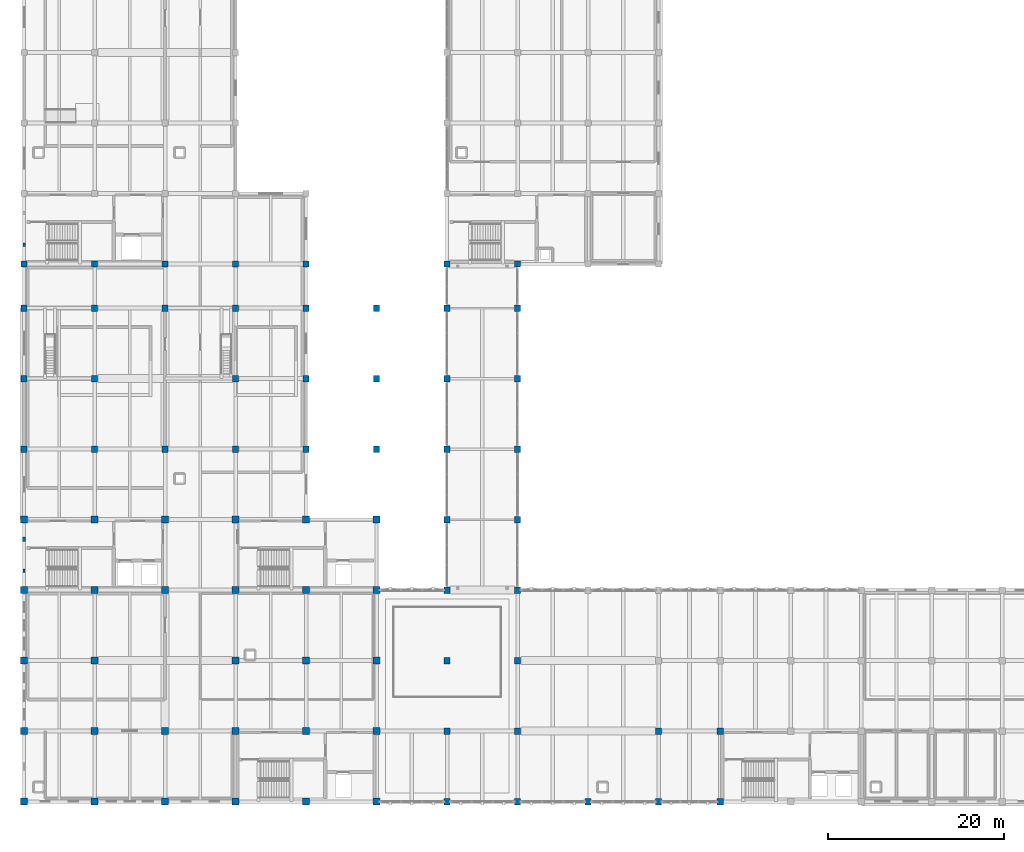
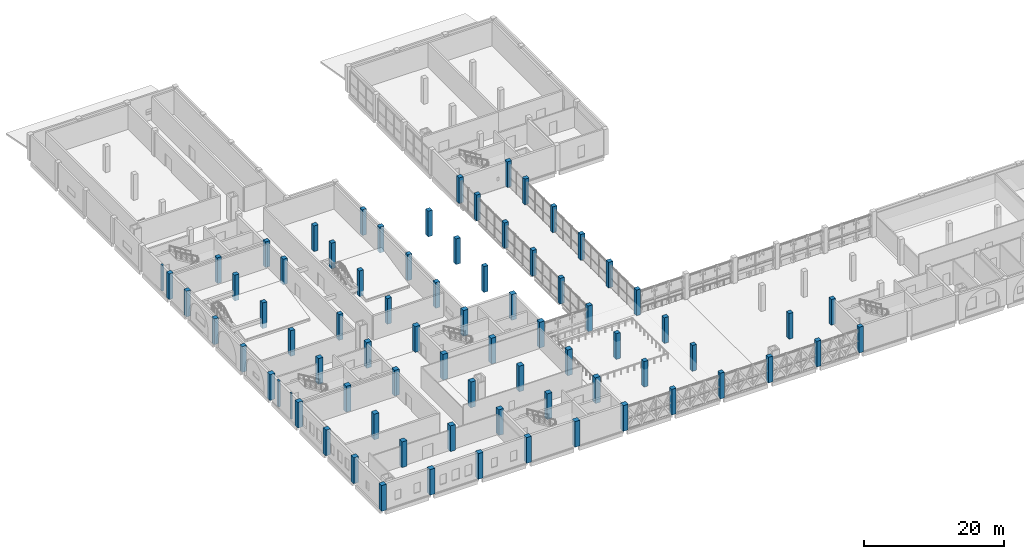
# One storey, part 1 of 45: 77 columns.
"""IFC4 building model written with IfcOpenShell, lengths in metres."""

from ifc_helpers import new_model, si_unit, direction, frame, origin, origin_2d, place, context, subcontext, project, spatial, rectangle, extrude, material, material_profile, profile_set, type_object, element, save


model = new_model("IFC4")

# Units and contexts
model_context = context("Model", 3, precision=1e-05, world=origin(), true_north=direction((0.0, 1.0)))
body_context = subcontext(model_context, "Body", "Model", "MODEL_VIEW")
ifc_project = project(units=[si_unit("LENGTHUNIT", "METRE"), si_unit("AREAUNIT", "SQUARE_METRE"), si_unit("VOLUMEUNIT", "CUBIC_METRE"), si_unit("PLANEANGLEUNIT", "RADIAN"), si_unit("MASSUNIT", "GRAM", prefix="KILO")], contexts=[model_context])

# Site, building, storey
site_placement = place(None, origin())
site = spatial("IfcSite", under=ifc_project, at=site_placement, CompositionType="ELEMENT")
building_placement = place(site_placement, origin())
building = spatial("IfcBuilding", under=site, at=building_placement, Name="Qorikala Patio Media Centre", CompositionType="ELEMENT")
storey_placement = place(building_placement, frame((0.0, 0.0, 9.89990234375)))
storey = spatial("IfcBuildingStorey", under=building, at=storey_placement, Name="L02", CompositionType="ELEMENT", Elevation=9.89990234375)

# Columns
ifc_material_1 = material(Name="Comanche Granite and Concrete C35/45", Category="masonry")
ifc_material_profile_1 = material_profile(ifc_material_1, rectangle(XDim=0.3798828125, YDim=0.239990234375, at=origin_2d()), Name="PIL 380x240")
ifc_profile_set_1 = profile_set([ifc_material_profile_1], Name="Comanche Granite and Concrete C35/45")
column_type_1 = type_object("IfcColumnType", Name="PIL-380X240", PredefinedType="PILASTER", material=ifc_profile_set_1)
column_1_placement = place(storey_placement, frame((3.0, 29.199951171875, 0.0), z_axis=(0.0, 0.0, 1.0), x_axis=(0.0, 1.0, 0.0)))
element("IfcColumn", 1, at=column_1_placement, inside=storey, type_object=column_type_1, Name="L02 West Street Core Pilaster 005", PredefinedType="PILASTER", context=body_context, shape_type="SweptSolid", body=[
    extrude(rectangle(XDim=0.3798828125, YDim=0.239990234375, at=origin_2d()), origin(), (0.0, 0.0, 1.0), 4.5),
])
ifc_material_profile_2 = material_profile(ifc_material_1, rectangle(XDim=0.43994140625, YDim=0.280029296875, at=origin_2d()), Name="PIL 440x280")
ifc_profile_set_2 = profile_set([ifc_material_profile_2], Name="Comanche Granite and Concrete C35/45")
column_type_2 = type_object("IfcColumnType", Name="PIL-440X280", PredefinedType="PILASTER", material=ifc_profile_set_2)
column_2_placement = place(storey_placement, frame((3.0, 66.199951171875, 0.0), z_axis=(0.0, 0.0, 1.0), x_axis=(0.0, 1.0, 0.0)))
element("IfcColumn", 2, at=column_2_placement, inside=storey, type_object=column_type_2, Name="L02 West Street Core Pilaster 007", PredefinedType="PILASTER", context=body_context, shape_type="SweptSolid", body=[
    extrude(rectangle(XDim=0.43994140625, YDim=0.280029296875, at=origin_2d()), origin(), (0.0, 0.0, 1.0), 4.5),
])
ifc_material_profile_3 = material_profile(ifc_material_1, rectangle(XDim=0.52001953125, YDim=0.320068359375, at=origin_2d()), Name="PIL 520x320")
ifc_profile_set_3 = profile_set([ifc_material_profile_3], Name="Comanche Granite and Concrete C35/45")
column_type_3 = type_object("IfcColumnType", Name="PIL-520X320", PredefinedType="PILASTER", material=ifc_profile_set_3)
column_3_placement = place(storey_placement, frame((3.0, 32.800048828125, 0.0), z_axis=(0.0, 0.0, 1.0), x_axis=(0.0, 1.0, 0.0)))
element("IfcColumn", 3, at=column_3_placement, inside=storey, type_object=column_type_3, Name="L02 West Street Core Pilaster 006", PredefinedType="PILASTER", context=body_context, shape_type="SweptSolid", body=[
    extrude(rectangle(XDim=0.52001953125, YDim=0.320068359375, at=origin_2d()), origin(), (0.0, 0.0, 1.0), 4.5),
])
ifc_material_2 = material(Name="Concrete C35/45", Category="concrete")
ifc_material_profile_4 = material_profile(ifc_material_2, rectangle(XDim=0.699951171875, YDim=0.699951171875, at=origin_2d()), Name="RC 700x700")
ifc_profile_set_4 = profile_set([ifc_material_profile_4], Name="Concrete C35/45")
column_type_4 = type_object("IfcColumnType", Name="RC-COL-700-EXT", PredefinedType="COLUMN", material=ifc_profile_set_4)
for number, where, z_axis, x_axis, name in (
    (4, (3.0, 43.0, 0.0), (0.0, 0.0, 1.0), (1.0, 0.0, 0.0), "L02 Column (3,43)"),
    (5, (3.0, 51.0, 0.0), (0.0, 0.0, 1.0), (1.0, 0.0, 0.0), "L02 Column (3,51)"),
    (6, (3.0, 59.0, 0.0), (0.0, 0.0, 1.0), (1.0, 0.0, 0.0), "L02 Column (3,59)"),
    (7, (3.0, 64.0, 0.0), (0.0, 0.0, 1.0), (1.0, 0.0, 0.0), "L02 Column (3,64)"),
    (8, (35.0, 43.0, 0.0), (0.0, 0.0, 1.0), (1.0, 0.0, 0.0), "L02 Column (35,43)"),
    (9, (35.0, 51.0, 0.0), (0.0, 0.0, 1.0), (1.0, 0.0, 0.0), "L02 Column (35,51)"),
    (10, (35.0, 59.0, 0.0), (0.0, 0.0, 1.0), (1.0, 0.0, 0.0), "L02 Column (35,59)"),
    (11, (35.0, 64.0, 0.0), (0.0, 0.0, 1.0), (1.0, 0.0, 0.0), "L02 Column (35,64)"),
    (12, (43.0, 43.0, 0.0), (0.0, 0.0, 1.0), (1.0, 0.0, 0.0), "L02 Column (43,43)"),
    (13, (43.0, 51.0, 0.0), (0.0, 0.0, 1.0), (1.0, 0.0, 0.0), "L02 Column (43,51)"),
    (14, (43.0, 59.0, 0.0), (0.0, 0.0, 1.0), (1.0, 0.0, 0.0), "L02 Column (43,59)"),
    (15, (51.0, 3.0, 0.0), (0.0, 0.0, 1.0), (1.0, 0.0, 0.0), "L02 Column (51,3)"),
    (16, (51.0, 27.0, 0.0), (0.0, 0.0, 1.0), (1.0, 0.0, 0.0), "L02 Column (51,27)"),
    (17, (51.0, 35.0, 0.0), (0.0, 0.0, 1.0), (1.0, 0.0, 0.0), "L02 Column (51,35)"),
    (18, (51.0, 43.0, 0.0), (0.0, 0.0, 1.0), (1.0, 0.0, 0.0), "L02 Column (51,43)"),
    (19, (51.0, 51.0, 0.0), (0.0, 0.0, 1.0), (1.0, 0.0, 0.0), "L02 Column (51,51)"),
    (20, (51.0, 59.0, 0.0), (0.0, 0.0, 1.0), (1.0, 0.0, 0.0), "L02 Column (51,59)"),
    (21, (51.0, 64.0, 0.0), (0.0, 0.0, 1.0), (1.0, 0.0, 0.0), "L02 Column (51,64)"),
    (22, (59.0, 3.0, 0.0), (0.0, 0.0, 1.0), (1.0, 0.0, 0.0), "L02 Column (59,3)"),
    (23, (59.0, 27.0, 0.0), (0.0, 0.0, 1.0), (1.0, 0.0, 0.0), "L02 Column (59,27)"),
    (24, (59.0, 35.0, 0.0), (0.0, 0.0, 1.0), (1.0, 0.0, 0.0), "L02 Column (59,35)"),
    (25, (59.0, 43.0, 0.0), (0.0, 0.0, 1.0), (1.0, 0.0, 0.0), "L02 Column (59,43)"),
    (26, (59.0, 51.0, 0.0), (0.0, 0.0, 1.0), (1.0, 0.0, 0.0), "L02 Column (59,51)"),
    (27, (59.0, 59.0, 0.0), (0.0, 0.0, 1.0), (1.0, 0.0, 0.0), "L02 Column (59,59)"),
    (28, (59.0, 64.0, 0.0), (0.0, 0.0, 1.0), (1.0, 0.0, 0.0), "L02 Column (59,64)"),
    (29, (67.0, 3.0, 0.0), (0.0, 0.0, 1.0), (1.0, 0.0, 0.0), "L02 Column (67,3)"),
    (30, (75.0, 3.0, 0.0), (0.0, 0.0, 1.0), (1.0, 0.0, 0.0), "L02 Column (75,3)"),
    (31, (82.0, 3.0, 0.0), (0.0, 0.0, 1.0), (1.0, 0.0, 0.0), "L02 Column (82,3)"),
):
    element("IfcColumn", number, at=place(storey_placement, frame(where, z_axis=z_axis, x_axis=x_axis)), inside=storey, type_object=column_type_4, Name=name, PredefinedType="COLUMN", context=body_context, shape_type="SweptSolid", body=[
        extrude(rectangle(XDim=0.699951171875, YDim=0.699951171875, at=origin_2d()), origin(), (0.0, 0.0, 1.0), 4.5),
    ])
ifc_material_profile_5 = material_profile(ifc_material_2, rectangle(XDim=0.699951171875, YDim=0.699951171875, at=origin_2d()), Name="RC 700x700")
ifc_profile_set_5 = profile_set([ifc_material_profile_5], Name="Concrete C35/45")
column_type_5 = type_object("IfcColumnType", Name="RC-COL-700-INT", PredefinedType="COLUMN", material=ifc_profile_set_5)
for number, where, z_axis, x_axis, name in (
    (32, (11.0, 43.0, 0.0), (0.0, 0.0, 1.0), (1.0, 0.0, 0.0), "L02 Column (11,43)"),
    (33, (11.0, 51.0, 0.0), (0.0, 0.0, 1.0), (1.0, 0.0, 0.0), "L02 Column (11,51)"),
    (34, (11.0, 59.0, 0.0), (0.0, 0.0, 1.0), (1.0, 0.0, 0.0), "L02 Column (11,59)"),
    (35, (11.0, 64.0, 0.0), (0.0, 0.0, 1.0), (1.0, 0.0, 0.0), "L02 Column (11,64)"),
    (36, (19.0, 43.0, 0.0), (0.0, 0.0, 1.0), (1.0, 0.0, 0.0), "L02 Column (19,43)"),
    (37, (19.0, 59.0, 0.0), (0.0, 0.0, 1.0), (1.0, 0.0, 0.0), "L02 Column (19,59)"),
    (38, (19.0, 64.0, 0.0), (0.0, 0.0, 1.0), (1.0, 0.0, 0.0), "L02 Column (19,64)"),
    (39, (27.0, 43.0, 0.0), (0.0, 0.0, 1.0), (1.0, 0.0, 0.0), "L02 Column (27,43)"),
    (40, (27.0, 51.0, 0.0), (0.0, 0.0, 1.0), (1.0, 0.0, 0.0), "L02 Column (27,51)"),
    (41, (27.0, 59.0, 0.0), (0.0, 0.0, 1.0), (1.0, 0.0, 0.0), "L02 Column (27,59)"),
    (42, (27.0, 64.0, 0.0), (0.0, 0.0, 1.0), (1.0, 0.0, 0.0), "L02 Column (27,64)"),
    (43, (51.0, 11.0, 0.0), (0.0, 0.0, 1.0), (1.0, 0.0, 0.0), "L02 Column (51,11)"),
    (44, (51.0, 19.0, 0.0), (0.0, 0.0, 1.0), (1.0, 0.0, 0.0), "L02 Column (51,19)"),
    (45, (59.0, 11.0, 0.0), (0.0, 0.0, 1.0), (1.0, 0.0, 0.0), "L02 Column (59,11)"),
    (46, (59.0, 19.0, 0.0), (0.0, 0.0, 1.0), (1.0, 0.0, 0.0), "L02 Column (59,19)"),
    (47, (75.0, 11.0, 0.0), (0.0, 0.0, 1.0), (1.0, 0.0, 0.0), "L02 Column (75,11)"),
    (48, (82.0, 11.0, 0.0), (0.0, 0.0, 1.0), (1.0, 0.0, 0.0), "L02 Column (82,11)"),
):
    element("IfcColumn", number, at=place(storey_placement, frame(where, z_axis=z_axis, x_axis=x_axis)), inside=storey, type_object=column_type_5, Name=name, PredefinedType="COLUMN", context=body_context, shape_type="SweptSolid", body=[
        extrude(rectangle(XDim=0.699951171875, YDim=0.699951171875, at=origin_2d()), origin(), (0.0, 0.0, 1.0), 4.5),
    ])
ifc_material_profile_6 = material_profile(ifc_material_2, rectangle(XDim=0.800048828125, YDim=0.800048828125, at=origin_2d()), Name="RC 800x800")
ifc_profile_set_6 = profile_set([ifc_material_profile_6], Name="Concrete C35/45")
column_type_6 = type_object("IfcColumnType", Name="RC-COL-800-EXT", PredefinedType="COLUMN", material=ifc_profile_set_6)
for number, where, z_axis, x_axis, name in (
    (49, (3.0, 3.0, 0.0), (0.0, 0.0, 1.0), (1.0, 0.0, 0.0), "L02 Column (3,3)"),
    (50, (3.0, 11.0, 0.0), (0.0, 0.0, 1.0), (1.0, 0.0, 0.0), "L02 Column (3,11)"),
    (51, (3.0, 19.0, 0.0), (0.0, 0.0, 1.0), (1.0, 0.0, 0.0), "L02 Column (3,19)"),
    (52, (3.0, 27.0, 0.0), (0.0, 0.0, 1.0), (1.0, 0.0, 0.0), "L02 Column (3,27)"),
    (53, (3.0, 35.0, 0.0), (0.0, 0.0, 1.0), (1.0, 0.0, 0.0), "L02 Column (3,35)"),
    (54, (11.0, 3.0, 0.0), (0.0, 0.0, 1.0), (1.0, 0.0, 0.0), "L02 Column (11,3)"),
    (55, (19.0, 3.0, 0.0), (0.0, 0.0, 1.0), (1.0, 0.0, 0.0), "L02 Column (19,3)"),
    (56, (27.0, 3.0, 0.0), (0.0, 0.0, 1.0), (1.0, 0.0, 0.0), "L02 Column (27,3)"),
    (57, (35.0, 3.0, 0.0), (0.0, 0.0, 1.0), (1.0, 0.0, 0.0), "L02 Column (35,3)"),
    (58, (35.0, 35.0, 0.0), (0.0, 0.0, 1.0), (1.0, 0.0, 0.0), "L02 Column (35,35)"),
    (59, (43.0, 3.0, 0.0), (0.0, 0.0, 1.0), (1.0, 0.0, 0.0), "L02 Column (43,3)"),
    (60, (43.0, 27.0, 0.0), (0.0, 0.0, 1.0), (1.0, 0.0, 0.0), "L02 Column (43,27)"),
    (61, (43.0, 35.0, 0.0), (0.0, 0.0, 1.0), (1.0, 0.0, 0.0), "L02 Column (43,35)"),
):
    element("IfcColumn", number, at=place(storey_placement, frame(where, z_axis=z_axis, x_axis=x_axis)), inside=storey, type_object=column_type_6, Name=name, PredefinedType="COLUMN", context=body_context, shape_type="SweptSolid", body=[
        extrude(rectangle(XDim=0.800048828125, YDim=0.800048828125, at=origin_2d()), origin(), (0.0, 0.0, 1.0), 4.5),
    ])
ifc_material_profile_7 = material_profile(ifc_material_2, rectangle(XDim=0.800048828125, YDim=0.800048828125, at=origin_2d()), Name="RC 800x800")
ifc_profile_set_7 = profile_set([ifc_material_profile_7], Name="Concrete C35/45")
column_type_7 = type_object("IfcColumnType", Name="RC-COL-800-INT", PredefinedType="COLUMN", material=ifc_profile_set_7)
for number, where, z_axis, x_axis, name in (
    (62, (11.0, 11.0, 0.0), (0.0, 0.0, 1.0), (1.0, 0.0, 0.0), "L02 Column (11,11)"),
    (63, (11.0, 19.0, 0.0), (0.0, 0.0, 1.0), (1.0, 0.0, 0.0), "L02 Column (11,19)"),
    (64, (11.0, 27.0, 0.0), (0.0, 0.0, 1.0), (1.0, 0.0, 0.0), "L02 Column (11,27)"),
    (65, (11.0, 35.0, 0.0), (0.0, 0.0, 1.0), (1.0, 0.0, 0.0), "L02 Column (11,35)"),
    (66, (19.0, 11.0, 0.0), (0.0, 0.0, 1.0), (1.0, 0.0, 0.0), "L02 Column (19,11)"),
    (67, (19.0, 27.0, 0.0), (0.0, 0.0, 1.0), (1.0, 0.0, 0.0), "L02 Column (19,27)"),
    (68, (19.0, 35.0, 0.0), (0.0, 0.0, 1.0), (1.0, 0.0, 0.0), "L02 Column (19,35)"),
    (69, (27.0, 11.0, 0.0), (0.0, 0.0, 1.0), (1.0, 0.0, 0.0), "L02 Column (27,11)"),
    (70, (27.0, 19.0, 0.0), (0.0, 0.0, 1.0), (1.0, 0.0, 0.0), "L02 Column (27,19)"),
    (71, (27.0, 27.0, 0.0), (0.0, 0.0, 1.0), (1.0, 0.0, 0.0), "L02 Column (27,27)"),
    (72, (27.0, 35.0, 0.0), (0.0, 0.0, 1.0), (1.0, 0.0, 0.0), "L02 Column (27,35)"),
    (73, (35.0, 11.0, 0.0), (0.0, 0.0, 1.0), (1.0, 0.0, 0.0), "L02 Column (35,11)"),
    (74, (35.0, 19.0, 0.0), (0.0, 0.0, 1.0), (1.0, 0.0, 0.0), "L02 Column (35,19)"),
    (75, (35.0, 27.0, 0.0), (0.0, 0.0, 1.0), (1.0, 0.0, 0.0), "L02 Column (35,27)"),
    (76, (43.0, 11.0, 0.0), (0.0, 0.0, 1.0), (1.0, 0.0, 0.0), "L02 Column (43,11)"),
    (77, (43.0, 19.0, 0.0), (0.0, 0.0, 1.0), (1.0, 0.0, 0.0), "L02 Column (43,19)"),
):
    element("IfcColumn", number, at=place(storey_placement, frame(where, z_axis=z_axis, x_axis=x_axis)), inside=storey, type_object=column_type_7, Name=name, PredefinedType="COLUMN", context=body_context, shape_type="SweptSolid", body=[
        extrude(rectangle(XDim=0.800048828125, YDim=0.800048828125, at=origin_2d()), origin(), (0.0, 0.0, 1.0), 4.5),
    ])

save(model, "model.ifc")
